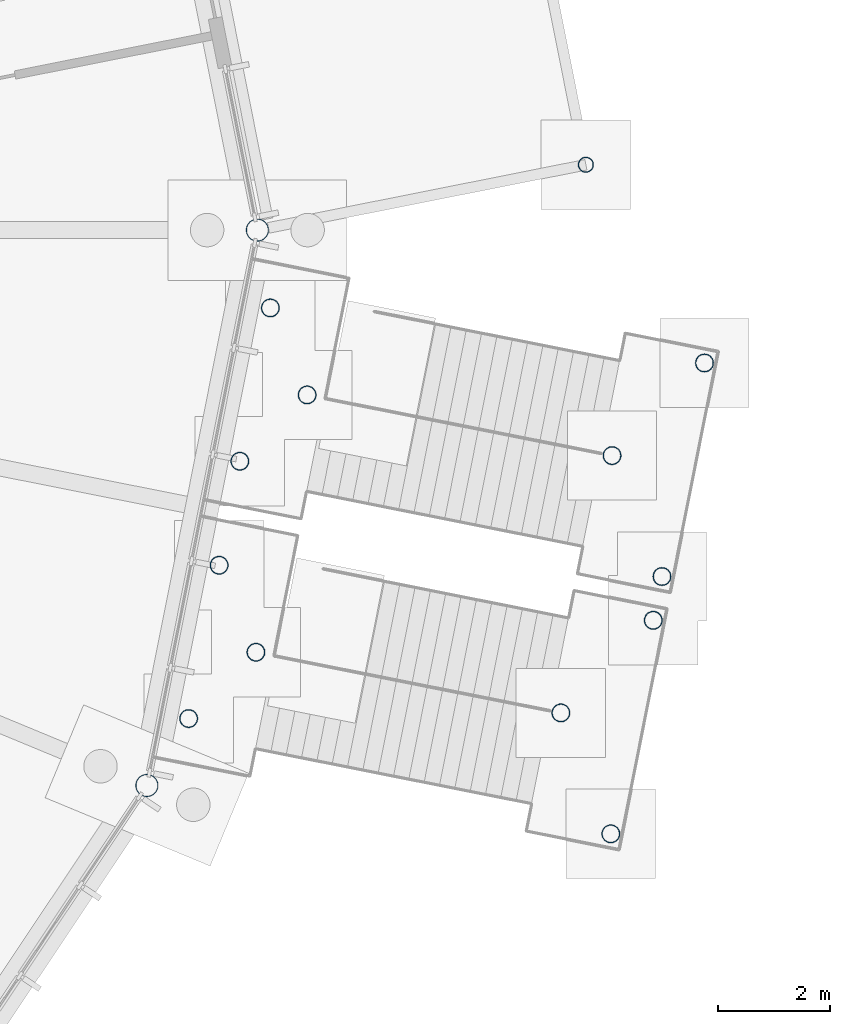
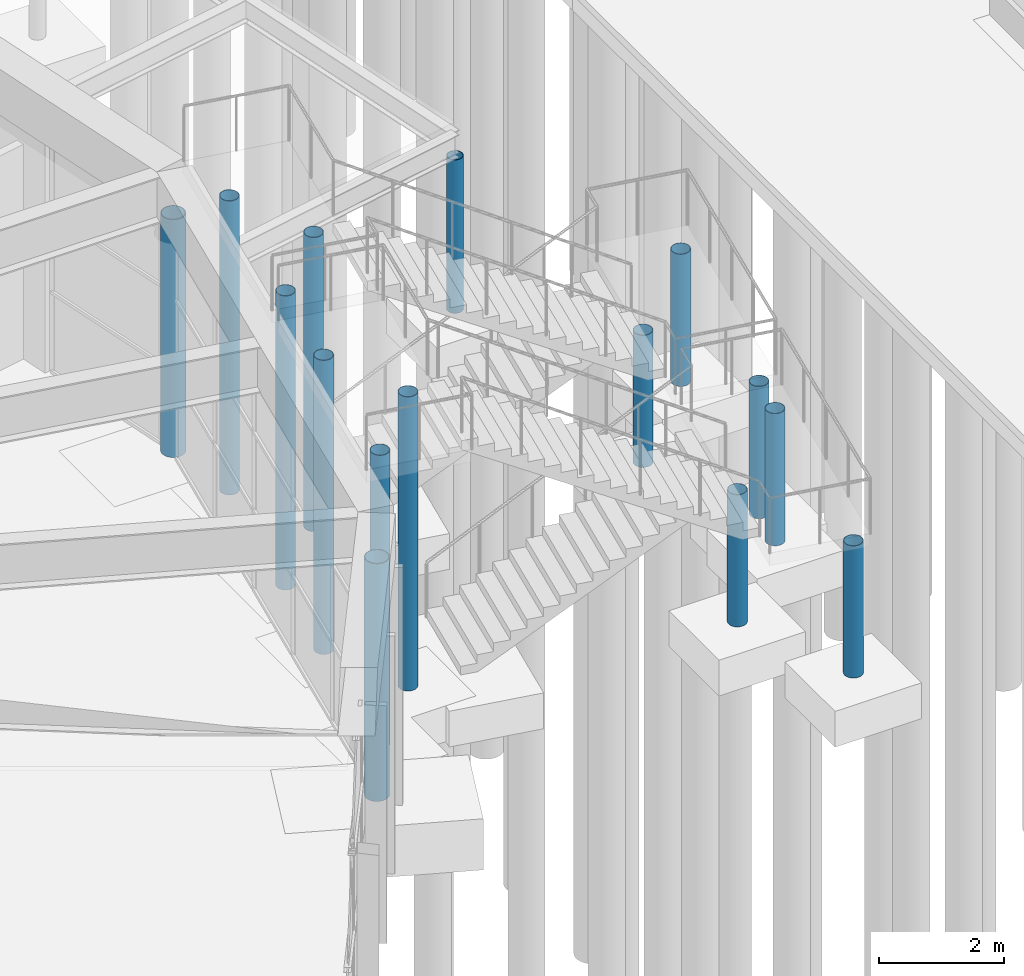
# One storey, part 31 of 226: 15 columns.
"""IFC4 building model written with IfcOpenShell, lengths in metres."""

from ifc_helpers import new_model, si_unit, direction, frame, origin, origin_2d, place, context, subcontext, project, spatial, hollow_circle, extrude, material, material_profile, profile_set, type_object, element, save


model = new_model("IFC4")

# Units and contexts
model_context = context("Model", 3, precision=1e-05, world=origin(), true_north=direction((0.0, 1.0)))
body_context = subcontext(model_context, "Body", "Model", "MODEL_VIEW")
ifc_project = project(units=[si_unit("LENGTHUNIT", "METRE"), si_unit("AREAUNIT", "SQUARE_METRE"), si_unit("VOLUMEUNIT", "CUBIC_METRE"), si_unit("PLANEANGLEUNIT", "RADIAN"), si_unit("MASSUNIT", "GRAM", prefix="KILO")], contexts=[model_context])

# Site, building, storey
site_placement = place(None, origin())
site = spatial("IfcSite", under=ifc_project, at=site_placement, CompositionType="ELEMENT")
building_placement = place(site_placement, origin())
building = spatial("IfcBuilding", under=site, at=building_placement, Name="Ceibo Conservatory and Research Tower", CompositionType="ELEMENT")
storey_placement = place(building_placement, origin())
storey = spatial("IfcBuildingStorey", under=building, at=storey_placement, Name="L00", CompositionType="ELEMENT", Elevation=0.0)

# Columns
ifc_material = material(Name="Steel ASTM A500 Gr C", Category="steel")
ifc_material_profile_1 = material_profile(ifc_material, hollow_circle(Radius=0.136474609375, WallThickness=0.00927734375, at=origin_2d()), Name="CHS column 273.1x9.27")
ifc_profile_set_1 = profile_set([ifc_material_profile_1], Name="Steel ASTM A500 Gr C")
column_type_1 = type_object("IfcColumnType", Name="CHS column 273.1x9.27", PredefinedType="COLUMN", material=ifc_profile_set_1)
column_placement = place(storey_placement, frame((199.884765625, 37.170654296875, 0.0), z_axis=(0.0, 0.0, 1.0), x_axis=(1.0, 0.0, 0.0)))
element("IfcColumn", 1, at=column_placement, inside=storey, type_object=column_type_1, Name="Canopy column East 1", PredefinedType="COLUMN", context=body_context, shape_type="SweptSolid", body=[
    extrude(hollow_circle(Radius=0.136474609375, WallThickness=0.00927734375, at=origin_2d()), origin(), (0.0, 0.0, 1.0), 2.9990234375),
])
ifc_material_profile_2 = material_profile(ifc_material, hollow_circle(Radius=0.161865234375, WallThickness=0.009521484375, at=origin_2d()), Name="CHS column 323.9x9.53")
ifc_profile_set_2 = profile_set([ifc_material_profile_2], Name="Steel ASTM A500 Gr C")
column_type_2 = type_object("IfcColumnType", Name="CHS column 323.9x9.53", PredefinedType="COLUMN", material=ifc_profile_set_2)
for number, where, z_axis, x_axis, name in (
    (2, (192.769287109375, 27.24951171875, 0.0), (0.0, 0.0, 1.0), (1.0, 0.0, 0.0), "Stair column VC-XC101"),
    (3, (193.3154296875, 29.995849609375, 0.0), (0.0, 0.0, 1.0), (1.0, 0.0, 0.0), "Stair column VC-XC102"),
    (4, (193.97412109375, 28.4375, 0.0), (0.0, 0.0, 1.0), (1.0, 0.0, 0.0), "Stair column VC-XC103"),
):
    element("IfcColumn", number, at=place(storey_placement, frame(where, z_axis=z_axis, x_axis=x_axis)), inside=storey, type_object=column_type_2, Name=name, PredefinedType="COLUMN", context=body_context, shape_type="SweptSolid", body=[
        extrude(hollow_circle(Radius=0.161865234375, WallThickness=0.009521484375, at=origin_2d()), origin(), (0.0, 0.0, 1.0), 5.75),
    ])
for number, where, z_axis, x_axis, name in (
    (5, (200.331787109375, 25.1845703125, 0.0), (0.0, 0.0, 1.0), (1.0, 0.0, 0.0), "Stair column VC-XC104"),
    (6, (201.092529296875, 29.009765625, 0.0), (0.0, 0.0, 1.0), (1.0, 0.0, 0.0), "Stair column VC-XC105"),
    (7, (199.43701171875, 27.3505859375, 0.0), (0.0, 0.0, 1.0), (1.0, 0.0, 0.0), "Stair column VC-XC106"),
):
    element("IfcColumn", number, at=place(storey_placement, frame(where, z_axis=z_axis, x_axis=x_axis)), inside=storey, type_object=column_type_2, Name=name, PredefinedType="COLUMN", context=body_context, shape_type="SweptSolid", body=[
        extrude(hollow_circle(Radius=0.161865234375, WallThickness=0.009521484375, at=origin_2d()), origin(), (0.0, 0.0, 1.0), 2.583251953125),
    ])
for number, where, z_axis, x_axis, name in (
    (8, (193.686279296875, 31.859375, 0.0), (0.0, 0.0, 1.0), (1.0, 0.0, 0.0), "Stair column VC-XC201"),
    (9, (194.232421875, 34.60546875, 0.0), (0.0, 0.0, 1.0), (1.0, 0.0, 0.0), "Stair column VC-XC202"),
    (10, (194.89111328125, 33.047119140625, 0.0), (0.0, 0.0, 1.0), (1.0, 0.0, 0.0), "Stair column VC-XC203"),
):
    element("IfcColumn", number, at=place(storey_placement, frame(where, z_axis=z_axis, x_axis=x_axis)), inside=storey, type_object=column_type_2, Name=name, PredefinedType="COLUMN", context=body_context, shape_type="SweptSolid", body=[
        extrude(hollow_circle(Radius=0.161865234375, WallThickness=0.009521484375, at=origin_2d()), origin(), (0.0, 0.0, 1.0), 5.75),
    ])
for number, where, z_axis, x_axis, name in (
    (11, (201.24853515625, 29.794189453125, 0.0), (0.0, 0.0, 1.0), (1.0, 0.0, 0.0), "Stair column VC-XC204"),
    (12, (202.009521484375, 33.619384765625, 0.0), (0.0, 0.0, 1.0), (1.0, 0.0, 0.0), "Stair column VC-XC205"),
    (13, (200.35400390625, 31.96044921875, 0.0), (0.0, 0.0, 1.0), (1.0, 0.0, 0.0), "Stair column VC-XC206"),
):
    element("IfcColumn", number, at=place(storey_placement, frame(where, z_axis=z_axis, x_axis=x_axis)), inside=storey, type_object=column_type_2, Name=name, PredefinedType="COLUMN", context=body_context, shape_type="SweptSolid", body=[
        extrude(hollow_circle(Radius=0.161865234375, WallThickness=0.009521484375, at=origin_2d()), origin(), (0.0, 0.0, 1.0), 2.583251953125),
    ])
ifc_material_profile_3 = material_profile(ifc_material, hollow_circle(Radius=0.203125, WallThickness=0.0126953125, at=origin_2d()), Name="CHS column 406.4x12.70")
ifc_profile_set_3 = profile_set([ifc_material_profile_3], Name="Steel ASTM A500 Gr C")
column_type_3 = type_object("IfcColumnType", Name="CHS column 406.4x12.70", PredefinedType="COLUMN", material=ifc_profile_set_3)
for number, where, z_axis, x_axis, name in (
    (14, (194.0, 36.0, 0.0), (0.0, 0.0, 1.0), (1.0, 0.0, 0.0), "Pavilion column VC-C01"),
    (15, (192.020751953125, 26.05029296875, 0.0), (0.0, 0.0, 1.0), (1.0, 0.0, 0.0), "Pavilion column VC-C16"),
):
    element("IfcColumn", number, at=place(storey_placement, frame(where, z_axis=z_axis, x_axis=x_axis)), inside=storey, type_object=column_type_3, Name=name, PredefinedType="COLUMN", context=body_context, shape_type="SweptSolid", body=[
        extrude(hollow_circle(Radius=0.203125, WallThickness=0.0126953125, at=origin_2d()), origin(), (0.0, 0.0, 1.0), 4.64892578125),
    ])

save(model, "model.ifc")
